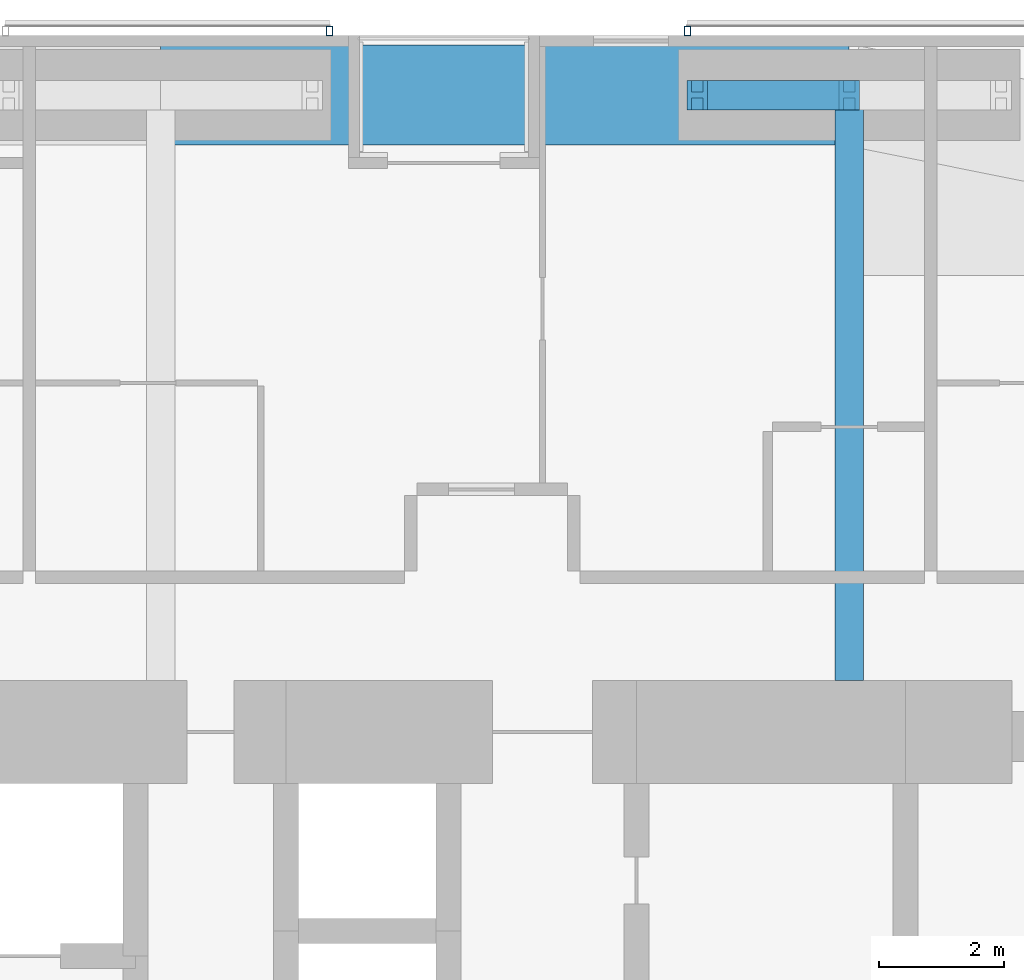
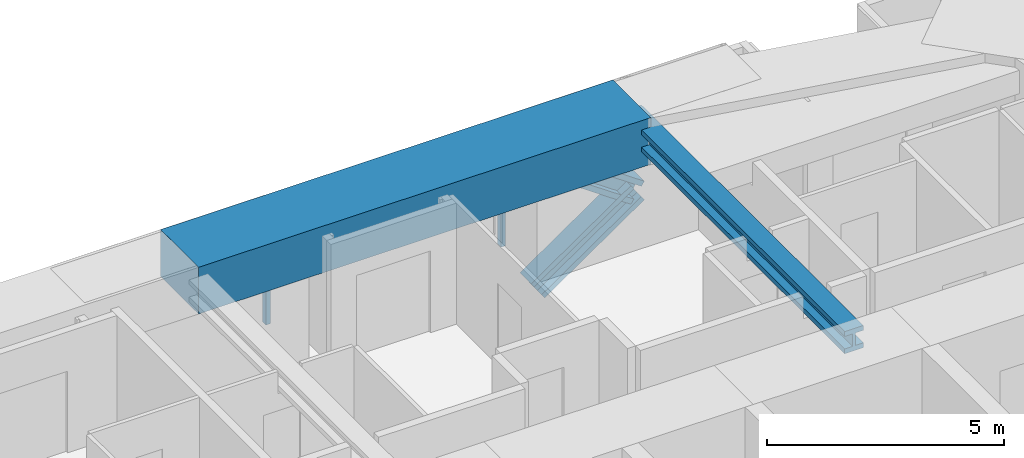
# One storey, part 14 of 24: 4 members, 2 beams, 2 elements without a shape of their own.
"""IFC4 building model written with IfcOpenShell, lengths in metres."""

from ifc_helpers import new_model, si_unit, direction, frame, origin, origin_2d, place, context, subcontext, project, spatial, rectangle, hollow_rectangle, i_section, extrude, material, material_profile, profile_set, type_object, element, aggregate, save


model = new_model("IFC4")

# Units and contexts
model_context = context("Model", 3, precision=1e-05, world=origin(), true_north=direction((0.0, 1.0)))
body_context = subcontext(model_context, "Body", "Model", "MODEL_VIEW")
ifc_project = project(units=[si_unit("LENGTHUNIT", "METRE"), si_unit("AREAUNIT", "SQUARE_METRE"), si_unit("VOLUMEUNIT", "CUBIC_METRE"), si_unit("PLANEANGLEUNIT", "RADIAN"), si_unit("MASSUNIT", "GRAM", prefix="KILO")], contexts=[model_context])

# Site, building, storey
site_placement = place(None, origin())
site = spatial("IfcSite", under=ifc_project, at=site_placement, CompositionType="ELEMENT")
building_placement = place(site_placement, origin())
building = spatial("IfcBuilding", under=site, at=building_placement, Name="Jalousie Tower", CompositionType="ELEMENT")
storey_placement = place(building_placement, frame((0.0, 0.0, 44.449951171875)))
storey = spatial("IfcBuildingStorey", under=building, at=storey_placement, Name="L11", CompositionType="ELEMENT", Elevation=44.449951171875)

# Beam
ifc_material_1 = material(Name="Steel ASTM A992 Grade 50", Category="steel")
ifc_material_profile_1 = material_profile(ifc_material_1, i_section(OverallWidth=0.45458984375, OverallDepth=0.569091796875, WebThickness=0.077880859375, FlangeThickness=0.124755859375, at=origin_2d()), Name="W14X730")
ifc_profile_set_1 = profile_set([ifc_material_profile_1], Name="Steel ASTM A992 Grade 50")
beam_type_1 = type_object("IfcBeamType", Name="LEAN COLLECTOR W14X730", PredefinedType="BEAM", material=ifc_profile_set_1)
beam_1_placement = place(storey_placement, frame((35.0, 37.050048828125, 2.825439453125), z_axis=(0.0, -1.0, 0.0), x_axis=(1.0, 0.0, 0.0)))
element("IfcBeam", 1, at=beam_1_placement, inside=storey, type_object=beam_type_1, Name="Lean collector under L12", PredefinedType="BEAM", context=body_context, shape_type="SweptSolid", body=[
    extrude(i_section(OverallWidth=0.45458984375, OverallDepth=0.569091796875, WebThickness=0.077880859375, FlangeThickness=0.124755859375, at=origin_2d()), origin(), (0.0, 0.0, 1.0), 9.35009765625),
])

# Members
ifc_material_2 = material(Name="Steel ASTM A992 Grade 50", Category="steel")
ifc_material_profile_2 = material_profile(ifc_material_2, i_section(OverallWidth=0.472412109375, OverallDepth=0.5791015625, WebThickness=0.094970703125, FlangeThickness=0.1298828125, at=origin_2d()), Name="W14X808")
ifc_profile_set_2 = profile_set([ifc_material_profile_2], Name="Steel ASTM A992 Grade 50")
member_type_1 = type_object("IfcMemberType", Name="PERIMETER BRACE W14X808", PredefinedType="BRACE", material=ifc_profile_set_2)
for number, where, z_axis, x_axis, name in (
    (2, (32.574951171875, 37.050048828125, -0.599853515625), (0.82283879777, 0.0, 0.568274856811), (0.0, 1.0, 0.0), "Perimeter brace 09 L11 part 1"),
    (3, (35.0, 37.050048828125, 1.074951171875), (-0.822800062329, 0.0, 0.568330940062), (0.0, -1.0, 0.0), "Perimeter brace 09 L11 part 4"),
):
    element("IfcMember", number, at=place(storey_placement, frame(where, z_axis=z_axis, x_axis=x_axis)), inside=storey, type_object=member_type_1, Name=name, PredefinedType="BRACE", context=body_context, shape_type="SweptSolid", body=[
        extrude(i_section(OverallWidth=0.472412109375, OverallDepth=0.5791015625, WebThickness=0.094970703125, FlangeThickness=0.1298828125, at=origin_2d()), origin(), (0.0, 0.0, 1.0), 2.947265625),
    ])

# Beam
ifc_material_3 = material(Name="Concrete f'c 40 MPa", Category="concrete")
ifc_material_profile_3 = material_profile(ifc_material_3, rectangle(XDim=1.60009765625, YDim=1.199951171875, at=origin_2d()), Name="RC 1600x1200")
ifc_profile_set_3 = profile_set([ifc_material_profile_3], Name="Concrete f'c 40 MPa")
beam_type_2 = type_object("IfcBeamType", Name="RC BEAM 1600x1200", PredefinedType="BEAM", material=ifc_profile_set_3)
beam_2_placement = place(storey_placement, frame((35.0, 37.050048828125, 2.75), z_axis=(-1.0, 0.0, 0.0), x_axis=(0.0, -1.0, 0.0)))
element("IfcBeam", 4, at=beam_2_placement, inside=storey, type_object=beam_type_2, Name="Edge band beam 09-10 under L12", PredefinedType="BEAM", context=body_context, shape_type="SweptSolid", body=[
    extrude(rectangle(XDim=1.60009765625, YDim=1.199951171875, at=origin_2d()), origin(), (0.0, 0.0, 1.0), 11.0),
])

# Curtain wall, member
ifc_material_4 = material(Name="Perforated aluminium sheet", Category="aluminium")
curtain_wall_type = type_object("IfcCurtainWallType", Name="SOLAR SCREEN SS-1", PredefinedType="USERDEFINED", material=ifc_material_4)
curtain_wall_1_placement = place(storey_placement, origin())
curtain_wall_1 = element("IfcCurtainWall", 5, at=curtain_wall_1_placement, inside=storey, type_object=curtain_wall_type, Name="Solar screen L11", ObjectType="SOLAR SCREEN SS-1", PredefinedType="USERDEFINED")
ifc_material_5 = material(Name="Steel ASTM A500 Grade C", Category="steel")
ifc_material_profile_4 = material_profile(ifc_material_5, hollow_rectangle(XDim=0.1015625, YDim=0.15234375, WallThickness=0.00634765625, at=origin_2d()), Name="HSS6X4X1/4")
ifc_profile_set_4 = profile_set([ifc_material_profile_4], Name="Steel ASTM A500 Grade C")
member_type_2 = type_object("IfcMemberType", Name="SOLAR SCREEN SS-1 MULLION", PredefinedType="MULLION", material=ifc_profile_set_4)
member_1_placement = place(storey_placement, frame((32.4150390625, 38.0712890625, -0.119873046875), z_axis=(0.0, 0.0, 1.0), x_axis=(-1.0, 0.0, 0.0)))
member_1 = element("IfcMember", 6, at=member_1_placement, type_object=member_type_2, Name="SS1 post 2", PredefinedType="MULLION", context=body_context, shape_type="SweptSolid", body=[
    extrude(hollow_rectangle(XDim=0.1015625, YDim=0.15234375, WallThickness=0.00634765625, at=origin_2d()), origin(), (0.0, 0.0, 1.0), 3.22998046875),
])
aggregate(curtain_wall_1, [member_1])

curtain_wall_2_placement = place(storey_placement, origin())
curtain_wall_2 = element("IfcCurtainWall", 7, at=curtain_wall_2_placement, inside=storey, type_object=curtain_wall_type, Name="Solar screen L11", ObjectType="SOLAR SCREEN SS-1", PredefinedType="USERDEFINED")
member_2_placement = place(storey_placement, frame((26.699951171875, 38.0712890625, -0.119873046875), z_axis=(0.0, 0.0, 1.0), x_axis=(-1.0, 0.0, 0.0)))
member_2 = element("IfcMember", 8, at=member_2_placement, type_object=member_type_2, Name="SS1 post 1", PredefinedType="MULLION", context=body_context, shape_type="SweptSolid", body=[
    extrude(hollow_rectangle(XDim=0.1015625, YDim=0.15234375, WallThickness=0.00634765625, at=origin_2d()), origin(), (0.0, 0.0, 1.0), 3.22998046875),
])
aggregate(curtain_wall_2, [member_2])

save(model, "model.ifc")
